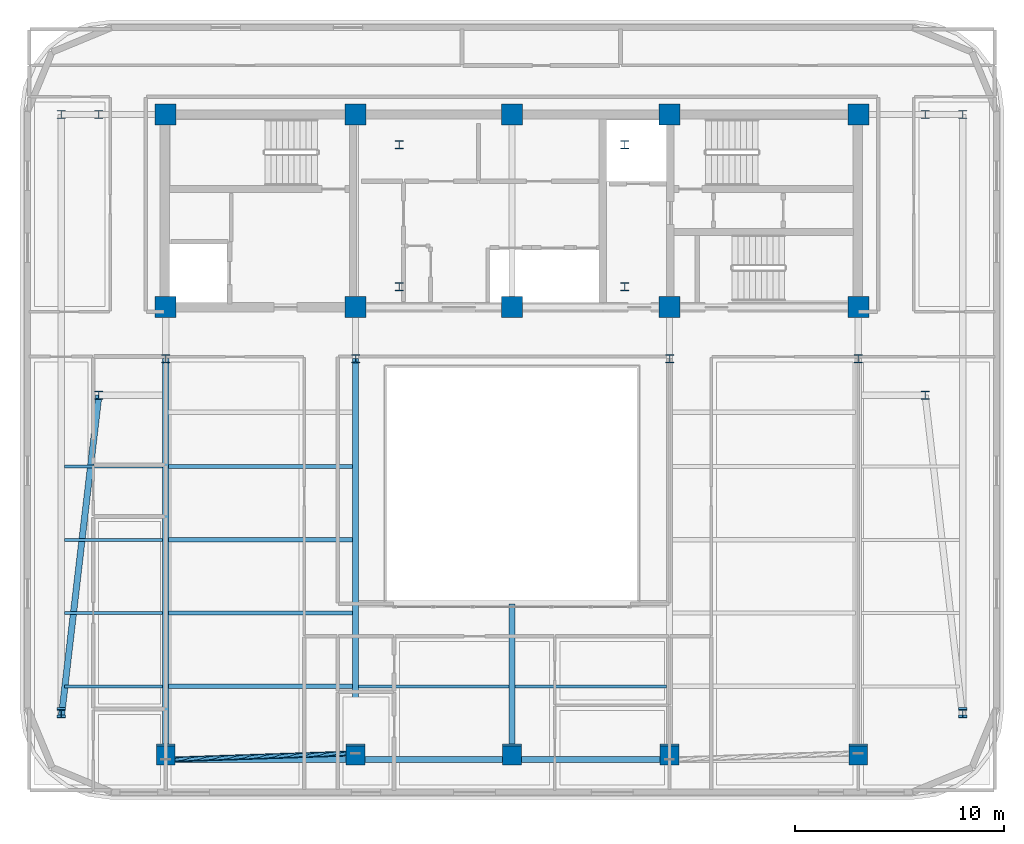
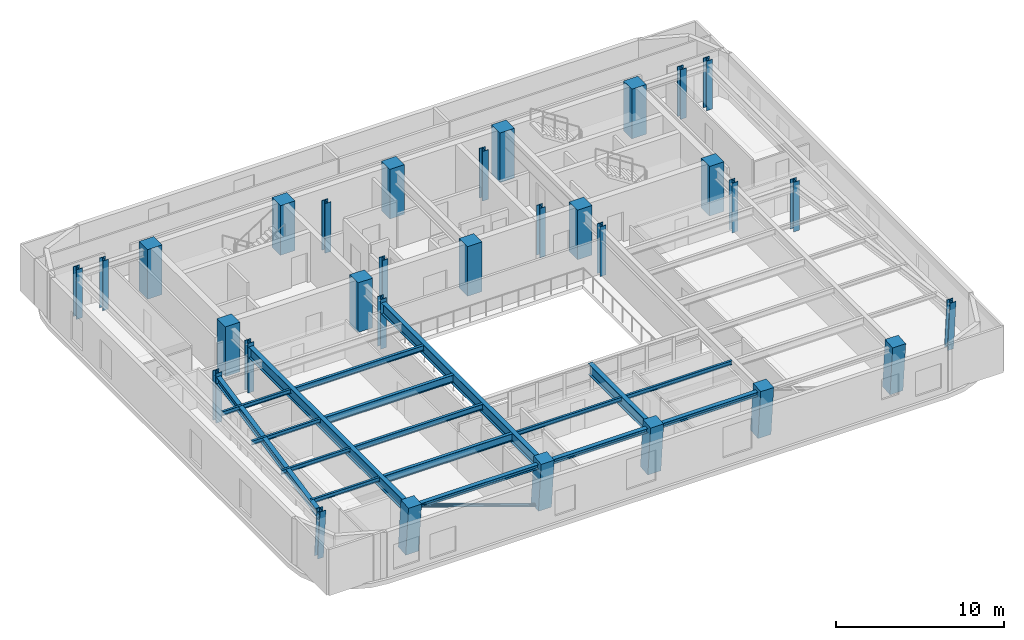
# One storey, part 1 of 14: 31 columns, 17 beams, 1 member.
"""IFC4 building model written with IfcOpenShell, lengths in metres."""

from ifc_helpers import new_model, si_unit, direction, frame, origin, origin_2d, place, context, subcontext, project, spatial, rectangle, hollow_circle, i_section, extrude, material, material_profile, profile_set, type_object, element, save


model = new_model("IFC4")

# Units and contexts
model_context = context("Model", 3, precision=1e-05, world=origin(), true_north=direction((0.0, 1.0)))
body_context = subcontext(model_context, "Body", "Model", "MODEL_VIEW")
ifc_project = project(units=[si_unit("LENGTHUNIT", "METRE"), si_unit("AREAUNIT", "SQUARE_METRE"), si_unit("VOLUMEUNIT", "CUBIC_METRE"), si_unit("PLANEANGLEUNIT", "RADIAN"), si_unit("MASSUNIT", "GRAM", prefix="KILO")], contexts=[model_context])

# Site, building, storey
site_placement = place(None, origin())
site = spatial("IfcSite", under=ifc_project, at=site_placement, CompositionType="ELEMENT")
building_placement = place(site_placement, origin())
building = spatial("IfcBuilding", under=site, at=building_placement, Name="Zarnavel Station Tower", CompositionType="ELEMENT")
storey_placement = place(building_placement, frame((0.0, 0.0, 218.39990234375)))
storey = spatial("IfcBuildingStorey", under=building, at=storey_placement, Name="L59", CompositionType="ELEMENT", Elevation=218.39990234375)

# Columns
ifc_material_1 = material(Name="Steel S355J2", Category="steel")
ifc_material_profile_1 = material_profile(ifc_material_1, i_section(OverallWidth=0.407958984375, OverallDepth=0.39990234375, WebThickness=0.02490234375, FlangeThickness=0.0390625, FilletRadius=0.014892578125, at=origin_2d()), Name="HD400x287")
ifc_profile_set_1 = profile_set([ifc_material_profile_1], Name="Steel S355J2")
column_type_1 = type_object("IfcColumnType", Name="EC_HD287", PredefinedType="COLUMN", material=ifc_profile_set_1)
column_1_placement = place(storey_placement, frame((7.199951171875, 8.419921875, 0.0), z_axis=(0.0, -0.079968217856, 0.996797413787), x_axis=(1.0, 0.0, 0.0)))
element("IfcColumn", 1, at=column_1_placement, inside=storey, type_object=column_type_1, Name="L59 Raked Wing Column 1", PredefinedType="COLUMN", context=body_context, shape_type="SweptSolid", body=[
    extrude(i_section(OverallWidth=0.407958984375, OverallDepth=0.39990234375, WebThickness=0.02490234375, FlangeThickness=0.0390625, FilletRadius=0.014892578125, at=origin_2d()), origin(), (0.0, 0.0, 1.0), 3.611572265625),
])
column_2_placement = place(storey_placement, frame((7.199951171875, 37.050048828125, 0.0), z_axis=(0.0, 0.0, 1.0), x_axis=(1.0, 0.0, 0.0)))
element("IfcColumn", 2, at=column_2_placement, inside=storey, type_object=column_type_1, Name="L59 Outer Wing North Column 1", PredefinedType="COLUMN", context=body_context, shape_type="SweptSolid", body=[
    extrude(i_section(OverallWidth=0.407958984375, OverallDepth=0.39990234375, WebThickness=0.02490234375, FlangeThickness=0.0390625, FilletRadius=0.014892578125, at=origin_2d()), origin(), (0.0, 0.0, 1.0), 3.60009765625),
])
column_3_placement = place(storey_placement, frame((50.39990234375, 8.419921875, 0.0), z_axis=(0.0, -0.079968217856, 0.996797413787), x_axis=(1.0, 0.0, 0.0)))
element("IfcColumn", 3, at=column_3_placement, inside=storey, type_object=column_type_1, Name="L59 Raked Wing Column 2", PredefinedType="COLUMN", context=body_context, shape_type="SweptSolid", body=[
    extrude(i_section(OverallWidth=0.407958984375, OverallDepth=0.39990234375, WebThickness=0.02490234375, FlangeThickness=0.0390625, FilletRadius=0.014892578125, at=origin_2d()), origin(), (0.0, 0.0, 1.0), 3.611572265625),
])
column_4_placement = place(storey_placement, frame((50.39990234375, 37.050048828125, 0.0), z_axis=(0.0, 0.0, 1.0), x_axis=(1.0, 0.0, 0.0)))
element("IfcColumn", 4, at=column_4_placement, inside=storey, type_object=column_type_1, Name="L59 Outer Wing North Column 2", PredefinedType="COLUMN", context=body_context, shape_type="SweptSolid", body=[
    extrude(i_section(OverallWidth=0.407958984375, OverallDepth=0.39990234375, WebThickness=0.02490234375, FlangeThickness=0.0390625, FilletRadius=0.014892578125, at=origin_2d()), origin(), (0.0, 0.0, 1.0), 3.60009765625),
])
ifc_material_2 = material(Name="Steel S355J2", Category="steel")
ifc_material_profile_2 = material_profile(ifc_material_2, i_section(OverallWidth=0.407958984375, OverallDepth=0.39990234375, WebThickness=0.02490234375, FlangeThickness=0.0390625, FilletRadius=0.014892578125, at=origin_2d()), Name="HD400x287")
ifc_profile_set_2 = profile_set([ifc_material_profile_2], Name="Steel S355J2")
column_type_2 = type_object("IfcColumnType", Name="IC_HD287", PredefinedType="COLUMN", material=ifc_profile_set_2)
for number, where, z_axis, x_axis, name in (
    (5, (23.39990234375, 28.800048828125, 0.0), (0.0, 0.0, 1.0), (1.0, 0.0, 0.0), "L59 Mast Spine Column 1"),
    (6, (34.199951171875, 28.800048828125, 0.0), (0.0, 0.0, 1.0), (1.0, 0.0, 0.0), "L59 Mast Spine Column 2"),
    (7, (34.199951171875, 35.60009765625, 0.0), (0.0, 0.0, 1.0), (1.0, 0.0, 0.0), "L59 Mast Spine Column 3"),
    (8, (23.39990234375, 35.60009765625, 0.0), (0.0, 0.0, 1.0), (1.0, 0.0, 0.0), "L59 Mast Spine Column 4"),
    (9, (12.199951171875, 25.35009765625, 0.0), (0.0, 0.0, 1.0), (1.0, 0.0, 0.0), "L59 Inner Spine Column 1"),
    (10, (21.300048828125, 25.35009765625, 0.0), (0.0, 0.0, 1.0), (1.0, 0.0, 0.0), "L59 Inner Spine Column 2"),
    (11, (36.35009765625, 25.35009765625, 0.0), (0.0, 0.0, 1.0), (1.0, 0.0, 0.0), "L59 Inner Spine Column 4"),
    (12, (45.39990234375, 25.35009765625, 0.0), (0.0, 0.0, 1.0), (1.0, 0.0, 0.0), "L59 Inner Spine Column 5"),
    (13, (9.0, 23.60009765625, 0.0), (0.0, 0.0, 1.0), (1.0, 0.0, 0.0), "L59 Inner Wing Spine Column 1-1"),
    (14, (9.0, 37.050048828125, 0.0), (0.0, 0.0, 1.0), (1.0, 0.0, 0.0), "L59 Inner Wing Spine Column 1-2"),
    (15, (48.60009765625, 23.60009765625, 0.0), (0.0, 0.0, 1.0), (1.0, 0.0, 0.0), "L59 Inner Wing Spine Column 2-1"),
    (16, (48.60009765625, 37.050048828125, 0.0), (0.0, 0.0, 1.0), (1.0, 0.0, 0.0), "L59 Inner Wing Spine Column 2-2"),
):
    element("IfcColumn", number, at=place(storey_placement, frame(where, z_axis=z_axis, x_axis=x_axis)), inside=storey, type_object=column_type_2, Name=name, PredefinedType="COLUMN", context=body_context, shape_type="SweptSolid", body=[
        extrude(i_section(OverallWidth=0.407958984375, OverallDepth=0.39990234375, WebThickness=0.02490234375, FlangeThickness=0.0390625, FilletRadius=0.014892578125, at=origin_2d()), origin(), (0.0, 0.0, 1.0), 3.60009765625),
    ])
ifc_material_3 = material(Name="Concrete C50/60", Category="concrete")
ifc_material_profile_3 = material_profile(ifc_material_3, rectangle(XDim=1.0, YDim=1.0, at=origin_2d()), Name="RC1000x1000")
ifc_profile_set_3 = profile_set([ifc_material_profile_3], Name="Concrete C50/60")
column_type_3 = type_object("IfcColumnType", Name="IC_RC1000", PredefinedType="COLUMN", material=ifc_profile_set_3)
for number, where, z_axis, x_axis, name in (
    (17, (12.199951171875, 27.820068359375, 0.0), (0.0, 0.0, 1.0), (1.0, 0.0, 0.0), "L59 Core Spine Column 1-1"),
    (18, (12.199951171875, 37.050048828125, 0.0), (0.0, 0.0, 1.0), (1.0, 0.0, 0.0), "L59 Core Spine Column 1-2"),
    (19, (21.300048828125, 27.820068359375, 0.0), (0.0, 0.0, 1.0), (1.0, 0.0, 0.0), "L59 Core Spine Column 2-1"),
    (20, (21.300048828125, 37.050048828125, 0.0), (0.0, 0.0, 1.0), (1.0, 0.0, 0.0), "L59 Core Spine Column 2-2"),
    (21, (28.800048828125, 27.820068359375, 0.0), (0.0, 0.0, 1.0), (1.0, 0.0, 0.0), "L59 Core Spine Column 3-1"),
    (22, (28.800048828125, 37.050048828125, 0.0), (0.0, 0.0, 1.0), (1.0, 0.0, 0.0), "L59 Core Spine Column 3-2"),
    (23, (36.35009765625, 27.820068359375, 0.0), (0.0, 0.0, 1.0), (1.0, 0.0, 0.0), "L59 Core Spine Column 4-1"),
    (24, (36.35009765625, 37.050048828125, 0.0), (0.0, 0.0, 1.0), (1.0, 0.0, 0.0), "L59 Core Spine Column 4-2"),
    (25, (45.39990234375, 27.820068359375, 0.0), (0.0, 0.0, 1.0), (1.0, 0.0, 0.0), "L59 Core Spine Column 5-1"),
    (26, (45.39990234375, 37.050048828125, 0.0), (0.0, 0.0, 1.0), (1.0, 0.0, 0.0), "L59 Core Spine Column 5-2"),
):
    element("IfcColumn", number, at=place(storey_placement, frame(where, z_axis=z_axis, x_axis=x_axis)), inside=storey, type_object=column_type_3, Name=name, PredefinedType="COLUMN", context=body_context, shape_type="SweptSolid", body=[
        extrude(rectangle(XDim=1.0, YDim=1.0, at=origin_2d()), origin(), (0.0, 0.0, 1.0), 3.60009765625),
    ])
ifc_material_4 = material(Name="Concrete C50/60", Category="concrete")
ifc_material_profile_4 = material_profile(ifc_material_4, rectangle(XDim=0.89990234375, YDim=0.89990234375, at=origin_2d()), Name="RC900x900")
ifc_profile_set_4 = profile_set([ifc_material_profile_4], Name="Concrete C50/60")
column_type_4 = type_object("IfcColumnType", Name="MC_RC900", PredefinedType="COLUMN", material=ifc_profile_set_4)
for number, where, z_axis, x_axis, name in (
    (27, (12.199951171875, 6.4365234375, 0.0), (0.0, -0.090231265542, 0.995920839584), (1.0, 0.0, 0.0), "L59 Raked South Mega-Column 1"),
    (28, (21.300048828125, 6.4365234375, 0.0), (0.0, -0.090231265542, 0.995920839584), (1.0, 0.0, 0.0), "L59 Raked South Mega-Column 2"),
    (29, (28.800048828125, 6.4365234375, 0.0), (0.0, -0.090231265542, 0.995920839584), (1.0, 0.0, 0.0), "L59 Raked South Mega-Column 3"),
    (30, (36.35009765625, 6.4365234375, 0.0), (0.0, -0.090231265542, 0.995920839584), (1.0, 0.0, 0.0), "L59 Raked South Mega-Column 4"),
    (31, (45.39990234375, 6.4365234375, 0.0), (0.0, -0.090231265542, 0.995920839584), (1.0, 0.0, 0.0), "L59 Raked South Mega-Column 5"),
):
    element("IfcColumn", number, at=place(storey_placement, frame(where, z_axis=z_axis, x_axis=x_axis)), inside=storey, type_object=column_type_4, Name=name, PredefinedType="COLUMN", context=body_context, shape_type="SweptSolid", body=[
        extrude(rectangle(XDim=0.89990234375, YDim=0.89990234375, at=origin_2d()), origin(), (0.0, 0.0, 1.0), 3.61474609375),
    ])

# Member
ifc_material_5 = material(Name="Steel S355J2", Category="steel")
ifc_material_profile_5 = material_profile(ifc_material_5, hollow_circle(Radius=0.122314453125, WallThickness=0.010009765625, at=origin_2d()), Name="CHS244.5x10")
ifc_profile_set_5 = profile_set([ifc_material_profile_5], Name="Steel S355J2")
member_type = type_object("IfcMemberType", Name="DB_EXT_CHS245", PredefinedType="BRACE", material=ifc_profile_set_5)
member_placement = place(storey_placement, frame((21.300048828125, 6.4365234375, 0.0), z_axis=(-0.938305928034, -0.03121477037, 0.344394575346), x_axis=(0.033248763554, -0.999447107016, 0.0)))
element("IfcMember", 32, at=member_placement, inside=storey, type_object=member_type, Name="L59 Persian Exterior Diagonal Frame Brace 1", PredefinedType="BRACE", context=body_context, shape_type="SweptSolid", body=[
    extrude(hollow_circle(Radius=0.122314453125, WallThickness=0.010009765625, at=origin_2d()), origin(), (0.0, 0.0, 1.0), 9.698486328125),
])

# Beams
ifc_material_6 = material(Name="Steel S355J2", Category="steel")
ifc_material_profile_6 = material_profile(ifc_material_6, i_section(OverallWidth=0.300048828125, OverallDepth=0.320068359375, WebThickness=0.011474609375, FlangeThickness=0.0205078125, FilletRadius=0.027099609375, at=origin_2d()), Name="HEB320")
ifc_profile_set_6 = profile_set([ifc_material_profile_6], Name="Steel S355J2")
beam_type_1 = type_object("IfcBeamType", Name="EB_HEB320", PredefinedType="SPANDREL", material=ifc_profile_set_6)
beam_1_placement = place(storey_placement, frame((12.199951171875, 6.1337890625, 3.18017578125), z_axis=(1.0, 0.0, 0.0), x_axis=(0.0, 1.0, 0.0)))
element("IfcBeam", 33, at=beam_1_placement, inside=storey, type_object=beam_type_1, Name="L59 South Raked Spandrel 1", PredefinedType="SPANDREL", context=body_context, shape_type="SweptSolid", body=[
    extrude(i_section(OverallWidth=0.300048828125, OverallDepth=0.320068359375, WebThickness=0.011474609375, FlangeThickness=0.0205078125, FilletRadius=0.027099609375, at=origin_2d()), origin(), (0.0, 0.0, 1.0), 9.10009765625),
])
beam_2_placement = place(storey_placement, frame((21.300048828125, 6.1337890625, 3.18017578125), z_axis=(1.0, 0.0, 0.0), x_axis=(0.0, 1.0, 0.0)))
element("IfcBeam", 34, at=beam_2_placement, inside=storey, type_object=beam_type_1, Name="L59 South Raked Spandrel 2", PredefinedType="SPANDREL", context=body_context, shape_type="SweptSolid", body=[
    extrude(i_section(OverallWidth=0.300048828125, OverallDepth=0.320068359375, WebThickness=0.011474609375, FlangeThickness=0.0205078125, FilletRadius=0.027099609375, at=origin_2d()), origin(), (0.0, 0.0, 1.0), 7.5),
])
beam_3_placement = place(storey_placement, frame((28.800048828125, 6.1337890625, 3.18017578125), z_axis=(1.0, 0.0, 0.0), x_axis=(0.0, 1.0, 0.0)))
element("IfcBeam", 35, at=beam_3_placement, inside=storey, type_object=beam_type_1, Name="L59 South Raked Spandrel 3", PredefinedType="SPANDREL", context=body_context, shape_type="SweptSolid", body=[
    extrude(i_section(OverallWidth=0.300048828125, OverallDepth=0.320068359375, WebThickness=0.011474609375, FlangeThickness=0.0205078125, FilletRadius=0.027099609375, at=origin_2d()), origin(), (0.0, 0.0, 1.0), 7.550048828125),
])
ifc_material_7 = material(Name="Steel S355J2", Category="steel")
ifc_material_profile_7 = material_profile(ifc_material_7, i_section(OverallWidth=0.179931640625, OverallDepth=0.39990234375, WebThickness=0.008544921875, FlangeThickness=0.013427734375, FilletRadius=0.02099609375, at=origin_2d()), Name="IPE400")
ifc_profile_set_7 = profile_set([ifc_material_profile_7], Name="Steel S355J2")
beam_type_2 = type_object("IfcBeamType", Name="FB_IPE400", PredefinedType="BEAM", material=ifc_profile_set_7)
for number, where, z_axis, x_axis, name in (
    (36, (12.344970703125, 13.156005859375, 3.14013671875), (1.0, 0.0, 0.0), (0.0, 1.0, 0.0), "L59 West Bay Beam 2"),
    (37, (12.344970703125, 20.177978515625, 3.14013671875), (1.0, 0.0, 0.0), (0.0, 1.0, 0.0), "L59 West Bay Beam 4"),
):
    element("IfcBeam", number, at=place(storey_placement, frame(where, z_axis=z_axis, x_axis=x_axis)), inside=storey, type_object=beam_type_2, Name=name, PredefinedType="BEAM", context=body_context, shape_type="SweptSolid", body=[
        extrude(i_section(OverallWidth=0.179931640625, OverallDepth=0.39990234375, WebThickness=0.008544921875, FlangeThickness=0.013427734375, FilletRadius=0.02099609375, at=origin_2d()), origin(), (0.0, 0.0, 1.0), 8.81005859375),
    ])
ifc_material_8 = material(Name="Steel S355J2", Category="steel")
ifc_material_profile_8 = material_profile(ifc_material_8, i_section(OverallWidth=0.2099609375, OverallDepth=0.550048828125, WebThickness=0.010986328125, FlangeThickness=0.01708984375, FilletRadius=0.02392578125, at=origin_2d()), Name="IPE550")
ifc_profile_set_8 = profile_set([ifc_material_profile_8], Name="Steel S355J2")
beam_type_3 = type_object("IfcBeamType", Name="FB_IPE550", PredefinedType="BEAM", material=ifc_profile_set_8)
for number, where, z_axis, x_axis, name in (
    (38, (12.344970703125, 9.64501953125, 3.065185546875), (1.0, 0.0, 0.0), (0.0, 1.0, 0.0), "L59 West Bay Beam 1"),
    (39, (12.344970703125, 16.6669921875, 3.065185546875), (1.0, 0.0, 0.0), (0.0, 1.0, 0.0), "L59 West Bay Beam 3"),
):
    element("IfcBeam", number, at=place(storey_placement, frame(where, z_axis=z_axis, x_axis=x_axis)), inside=storey, type_object=beam_type_3, Name=name, PredefinedType="BEAM", context=body_context, shape_type="SweptSolid", body=[
        extrude(i_section(OverallWidth=0.2099609375, OverallDepth=0.550048828125, WebThickness=0.010986328125, FlangeThickness=0.01708984375, FilletRadius=0.02392578125, at=origin_2d()), origin(), (0.0, 0.0, 1.0), 8.81005859375),
    ])
ifc_material_9 = material(Name="Steel S355J2", Category="steel")
ifc_material_profile_9 = material_profile(ifc_material_9, i_section(OverallWidth=0.300048828125, OverallDepth=0.5, WebThickness=0.014404296875, FlangeThickness=0.028076171875, FilletRadius=0.027099609375, at=origin_2d()), Name="HEB500")
ifc_profile_set_9 = profile_set([ifc_material_profile_9], Name="Steel S355J2")
beam_type_4 = type_object("IfcBeamType", Name="FG_HEB500", PredefinedType="USERDEFINED", material=ifc_profile_set_9)
beam_4_placement = place(storey_placement, frame((7.199951171875, 8.152099609375, 3.090087890625), z_axis=(0.115740024596, 0.993279541069, 0.0), x_axis=(-0.993279541069, 0.115740024596, 0.0)))
element("IfcBeam", 40, at=beam_4_placement, inside=storey, type_object=beam_type_4, Name="L59 West Wing South Tie 1", ObjectType="GIRDER", PredefinedType="USERDEFINED", context=body_context, shape_type="SweptSolid", body=[
    extrude(i_section(OverallWidth=0.300048828125, OverallDepth=0.5, WebThickness=0.014404296875, FlangeThickness=0.028076171875, FilletRadius=0.027099609375, at=origin_2d()), origin(), (0.0, 0.0, 1.0), 15.552490234375),
])
ifc_material_10 = material(Name="Steel S355J2", Category="steel")
ifc_material_profile_10 = material_profile(ifc_material_10, i_section(OverallWidth=0.300048828125, OverallDepth=0.800048828125, WebThickness=0.017578125, FlangeThickness=0.032958984375, FilletRadius=0.030029296875, at=origin_2d()), Name="HEB800")
ifc_profile_set_10 = profile_set([ifc_material_profile_10], Name="Steel S355J2")
beam_type_5 = type_object("IfcBeamType", Name="FG_HEB800", PredefinedType="USERDEFINED", material=ifc_profile_set_10)
for number, where, z_axis, x_axis, name in (
    (41, (12.199951171875, 6.1337890625, 2.940185546875), (0.0, 1.0, 0.0), (-1.0, 0.0, 0.0), "L59 South-Zone NS Girder 1"),
    (42, (21.300048828125, 6.1337890625, 2.940185546875), (0.0, 1.0, 0.0), (-1.0, 0.0, 0.0), "L59 South-Zone NS Girder 2"),
):
    element("IfcBeam", number, at=place(storey_placement, frame(where, z_axis=z_axis, x_axis=x_axis)), inside=storey, type_object=beam_type_5, Name=name, ObjectType="GIRDER", PredefinedType="USERDEFINED", context=body_context, shape_type="SweptSolid", body=[
        extrude(i_section(OverallWidth=0.300048828125, OverallDepth=0.800048828125, WebThickness=0.017578125, FlangeThickness=0.032958984375, FilletRadius=0.030029296875, at=origin_2d()), origin(), (0.0, 0.0, 1.0), 19.21630859375),
    ])
beam_5_placement = place(storey_placement, frame((28.800048828125, 6.1337890625, 2.940185546875), z_axis=(0.0, 1.0, 0.0), x_axis=(-1.0, 0.0, 0.0)))
element("IfcBeam", 43, at=beam_5_placement, inside=storey, type_object=beam_type_5, Name="L59 Central Atrium-South Girder", ObjectType="GIRDER", PredefinedType="USERDEFINED", context=body_context, shape_type="SweptSolid", body=[
    extrude(i_section(OverallWidth=0.300048828125, OverallDepth=0.800048828125, WebThickness=0.017578125, FlangeThickness=0.032958984375, FilletRadius=0.030029296875, at=origin_2d()), origin(), (0.0, 0.0, 1.0), 7.46630859375),
])
ifc_material_11 = material(Name="Steel S355J2", Category="steel")
ifc_material_profile_11 = material_profile(ifc_material_11, i_section(OverallWidth=0.14990234375, OverallDepth=0.300048828125, WebThickness=0.007080078125, FlangeThickness=0.0107421875, FilletRadius=0.014892578125, at=origin_2d()), Name="IPE300")
ifc_profile_set_11 = profile_set([ifc_material_profile_11], Name="Steel S355J2")
beam_type_6 = type_object("IfcBeamType", Name="FJ_IPE300", PredefinedType="JOIST", material=ifc_profile_set_11)
beam_6_placement = place(storey_placement, frame((21.445068359375, 9.64501953125, 3.190185546875), z_axis=(1.0, 0.0, 0.0), x_axis=(0.0, 1.0, 0.0)))
element("IfcBeam", 44, at=beam_6_placement, inside=storey, type_object=beam_type_6, Name="L59 Mid-West Joist 1", PredefinedType="JOIST", context=body_context, shape_type="SweptSolid", body=[
    extrude(i_section(OverallWidth=0.14990234375, OverallDepth=0.300048828125, WebThickness=0.007080078125, FlangeThickness=0.0107421875, FilletRadius=0.014892578125, at=origin_2d()), origin(), (0.0, 0.0, 1.0), 7.2099609375),
])
beam_7_placement = place(storey_placement, frame((28.945068359375, 9.64501953125, 3.190185546875), z_axis=(1.0, 0.0, 0.0), x_axis=(0.0, 1.0, 0.0)))
element("IfcBeam", 45, at=beam_7_placement, inside=storey, type_object=beam_type_6, Name="L59 Mid-East Joist 1", PredefinedType="JOIST", context=body_context, shape_type="SweptSolid", body=[
    extrude(i_section(OverallWidth=0.14990234375, OverallDepth=0.300048828125, WebThickness=0.007080078125, FlangeThickness=0.0107421875, FilletRadius=0.014892578125, at=origin_2d()), origin(), (0.0, 0.0, 1.0), 7.260009765625),
])
for number, where, z_axis, x_axis, name in (
    (46, (7.344970703125, 9.64501953125, 3.190185546875), (1.0, 0.0, 0.0), (0.0, 1.0, 0.0), "L59 West Wing Joist 1"),
    (47, (7.344970703125, 13.156005859375, 3.190185546875), (1.0, 0.0, 0.0), (0.0, 1.0, 0.0), "L59 West Wing Joist 2"),
    (48, (7.344970703125, 16.6669921875, 3.190185546875), (1.0, 0.0, 0.0), (0.0, 1.0, 0.0), "L59 West Wing Joist 3"),
    (49, (7.344970703125, 20.177978515625, 3.190185546875), (1.0, 0.0, 0.0), (0.0, 1.0, 0.0), "L59 West Wing Joist 4"),
):
    element("IfcBeam", number, at=place(storey_placement, frame(where, z_axis=z_axis, x_axis=x_axis)), inside=storey, type_object=beam_type_6, Name=name, PredefinedType="JOIST", context=body_context, shape_type="SweptSolid", body=[
        extrude(i_section(OverallWidth=0.14990234375, OverallDepth=0.300048828125, WebThickness=0.007080078125, FlangeThickness=0.0107421875, FilletRadius=0.014892578125, at=origin_2d()), origin(), (0.0, 0.0, 1.0), 4.7099609375),
    ])

save(model, "model.ifc")
